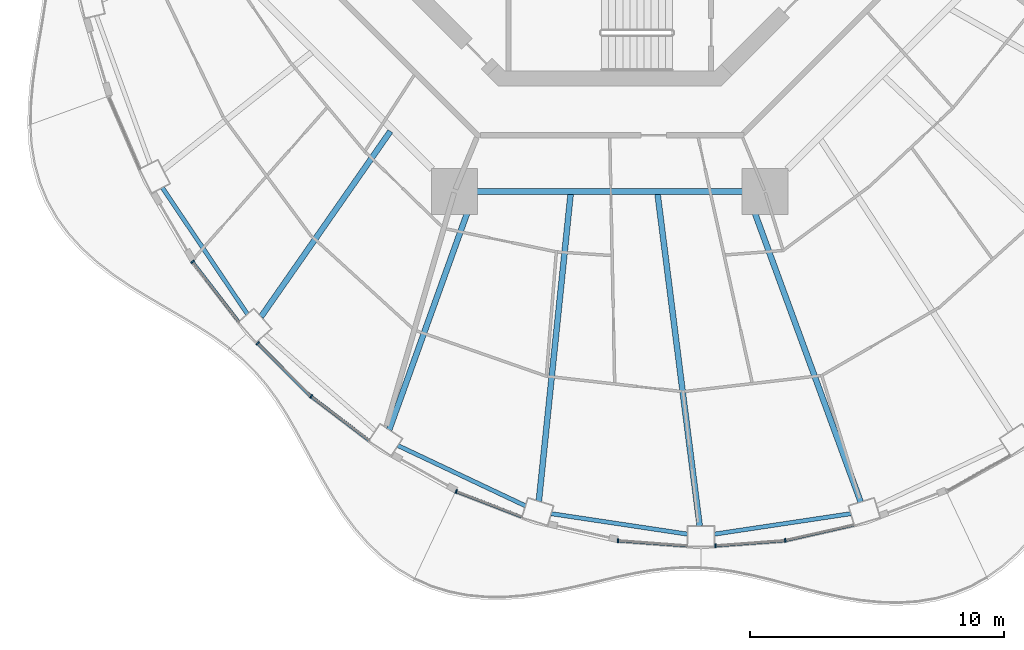
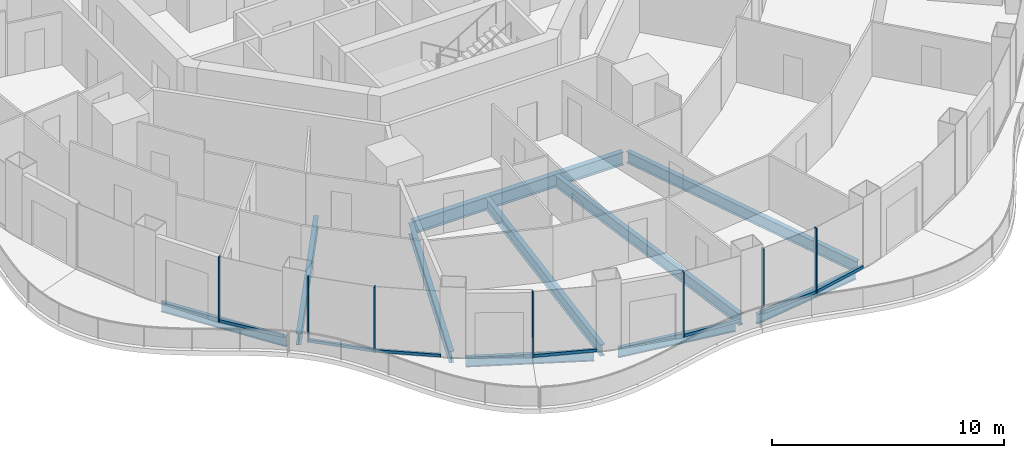
# One storey, part 2 of 19: 14 members, 10 beams, 7 elements without a shape of their own.
"""IFC4 building model written with IfcOpenShell, lengths in metres."""

from ifc_helpers import new_model, si_unit, direction, frame, origin, origin_2d, place, context, subcontext, project, spatial, rectangle, i_section, extrude, material, layer, layer_set, material_profile, profile_set, type_object, element, aggregate, save


model = new_model("IFC4")

# Units and contexts
model_context = context("Model", 3, precision=1e-05, world=origin(), true_north=direction((0.0, 1.0)))
body_context = subcontext(model_context, "Body", "Model", "MODEL_VIEW")
ifc_project = project(units=[si_unit("LENGTHUNIT", "METRE"), si_unit("AREAUNIT", "SQUARE_METRE"), si_unit("VOLUMEUNIT", "CUBIC_METRE"), si_unit("PLANEANGLEUNIT", "RADIAN"), si_unit("MASSUNIT", "GRAM", prefix="KILO")], contexts=[model_context])

# Site, building, storey
site_placement = place(None, origin())
site = spatial("IfcSite", under=ifc_project, at=site_placement, CompositionType="ELEMENT")
building_placement = place(site_placement, origin())
building = spatial("IfcBuilding", under=site, at=building_placement, Name="Nagisa Residences", CompositionType="ELEMENT")
storey_placement = place(building_placement, frame((0.0, 0.0, 188.10009765625)))
storey = spatial("IfcBuildingStorey", under=building, at=storey_placement, Name="L47", CompositionType="ELEMENT", Elevation=188.10009765625)

# Curtain wall, member
ifc_material_1 = material(Name="Concrete-coloured aluminium curtain wall system", Category="concrete")
ifc_layer = layer(ifc_material_1, 0.159912109375)
ifc_layer_set = layer_set([ifc_layer], Name="CW1 CURTAIN WALL")
curtain_wall_type = type_object("IfcCurtainWallType", Name="CW1 CURTAIN WALL", PredefinedType="NOTDEFINED", material=ifc_layer_set)
curtain_wall_1_placement = place(storey_placement, origin())
curtain_wall_1 = element("IfcCurtainWall", 1, at=curtain_wall_1_placement, inside=storey, type_object=curtain_wall_type, Name="cw:CW1:L47:29", PredefinedType="NOTDEFINED")
ifc_material_2 = material(Name="Concrete-coloured aluminium", Category="concrete")
ifc_material_profile_1 = material_profile(ifc_material_2, rectangle(XDim=0.159912109375, YDim=0.06005859375, at=origin_2d()), Name="CW1 MULLION 160x60")
ifc_profile_set_1 = profile_set([ifc_material_profile_1], Name="Concrete-coloured aluminium")
member_type_1 = type_object("IfcMemberType", Name="CW1 MULLION 160x60", PredefinedType="MULLION", material=ifc_profile_set_1)
member_1_placement = place(storey_placement, frame((-16.44970703125, -17.552978515625, 0.0), z_axis=(0.0, 0.0, 1.0), x_axis=(0.792070340816, 0.610429828235, 0.0)))
member_1 = element("IfcMember", 2, at=member_1_placement, type_object=member_type_1, Name="CW1 mullion", PredefinedType="MULLION", context=body_context, shape_type="SweptSolid", body=[
    extrude(rectangle(XDim=0.159912109375, YDim=0.06005859375, at=origin_2d()), origin(), (0.0, 0.0, 1.0), 3.43994140625),
])

curtain_wall_2_placement = place(storey_placement, origin())
curtain_wall_2 = element("IfcCurtainWall", 3, at=curtain_wall_2_placement, inside=storey, type_object=curtain_wall_type, Name="cw:CW1:L47:30", PredefinedType="NOTDEFINED")
member_2_placement = place(storey_placement, frame((-13.875732421875, -20.770751953125, 0.0), z_axis=(0.0, 0.0, 1.0), x_axis=(0.706376885714, 0.707835924016, 0.0)))
member_2 = element("IfcMember", 4, at=member_2_placement, type_object=member_type_1, Name="CW1 mullion", PredefinedType="MULLION", context=body_context, shape_type="SweptSolid", body=[
    extrude(rectangle(XDim=0.159912109375, YDim=0.06005859375, at=origin_2d()), origin(), (0.0, 0.0, 1.0), 3.43994140625),
])

curtain_wall_3_placement = place(storey_placement, origin())
curtain_wall_3 = element("IfcCurtainWall", 5, at=curtain_wall_3_placement, inside=storey, type_object=curtain_wall_type, Name="cw:CW1:L47:31", PredefinedType="NOTDEFINED")
member_3_placement = place(storey_placement, frame((-11.77490234375, -22.862548828125, 0.0), z_axis=(0.0, 0.0, 1.0), x_axis=(0.605255421737, 0.79603132756, 0.0)))
member_3 = element("IfcMember", 6, at=member_3_placement, type_object=member_type_1, Name="CW1 mullion", PredefinedType="MULLION", context=body_context, shape_type="SweptSolid", body=[
    extrude(rectangle(XDim=0.159912109375, YDim=0.06005859375, at=origin_2d()), origin(), (0.0, 0.0, 1.0), 3.43994140625),
])

curtain_wall_4_placement = place(storey_placement, origin())
curtain_wall_4 = element("IfcCurtainWall", 7, at=curtain_wall_4_placement, inside=storey, type_object=curtain_wall_type, Name="cw:CW1:L47:33", PredefinedType="NOTDEFINED")
member_4_placement = place(storey_placement, frame((-6.0537109375, -26.61328125, 0.0), z_axis=(0.0, 0.0, 1.0), x_axis=(0.360327770268, 0.932825759707, 0.0)))
member_4 = element("IfcMember", 8, at=member_4_placement, type_object=member_type_1, Name="CW1 mullion", PredefinedType="MULLION", context=body_context, shape_type="SweptSolid", body=[
    extrude(rectangle(XDim=0.159912109375, YDim=0.06005859375, at=origin_2d()), origin(), (0.0, 0.0, 1.0), 3.43994140625),
])

curtain_wall_5_placement = place(storey_placement, origin())
curtain_wall_5 = element("IfcCurtainWall", 9, at=curtain_wall_5_placement, inside=storey, type_object=curtain_wall_type, Name="cw:CW1:L47:35", PredefinedType="NOTDEFINED")
member_5_placement = place(storey_placement, frame((0.32373046875, -28.550537109375, 0.0), z_axis=(0.0, 0.0, 1.0), x_axis=(0.074377355493, 0.997230168512, 0.0)))
member_5 = element("IfcMember", 10, at=member_5_placement, type_object=member_type_1, Name="CW1 mullion", PredefinedType="MULLION", context=body_context, shape_type="SweptSolid", body=[
    extrude(rectangle(XDim=0.159912109375, YDim=0.06005859375, at=origin_2d()), origin(), (0.0, 0.0, 1.0), 3.43994140625),
])

curtain_wall_6_placement = place(storey_placement, origin())
curtain_wall_6 = element("IfcCurtainWall", 11, at=curtain_wall_6_placement, inside=storey, type_object=curtain_wall_type, Name="cw:CW1:L47:36", PredefinedType="NOTDEFINED")
member_6_placement = place(storey_placement, frame((4.17236328125, -28.752197265625, 0.0), z_axis=(0.0, 0.0, 1.0), x_axis=(-0.074377355493, 0.997230168512, 0.0)))
member_6 = element("IfcMember", 12, at=member_6_placement, type_object=member_type_1, Name="CW1 mullion", PredefinedType="MULLION", context=body_context, shape_type="SweptSolid", body=[
    extrude(rectangle(XDim=0.159912109375, YDim=0.06005859375, at=origin_2d()), origin(), (0.0, 0.0, 1.0), 3.43994140625),
])

curtain_wall_7_placement = place(storey_placement, origin())
curtain_wall_7 = element("IfcCurtainWall", 13, at=curtain_wall_7_placement, inside=storey, type_object=curtain_wall_type, Name="cw:CW1:L47:37", PredefinedType="NOTDEFINED")
member_7_placement = place(storey_placement, frame((6.923583984375, -28.543212890625, 0.0), z_axis=(0.0, 0.0, 1.0), x_axis=(-0.2207639201, 0.975327274089, 0.0)))
member_7 = element("IfcMember", 14, at=member_7_placement, type_object=member_type_1, Name="CW1 mullion", PredefinedType="MULLION", context=body_context, shape_type="SweptSolid", body=[
    extrude(rectangle(XDim=0.159912109375, YDim=0.06005859375, at=origin_2d()), origin(), (0.0, 0.0, 1.0), 3.43994140625),
])

# Member
ifc_material_3 = material(Name="Concrete-coloured aluminium", Category="concrete")
ifc_material_profile_2 = material_profile(ifc_material_3, rectangle(XDim=0.1201171875, YDim=0.14990234375, at=origin_2d()), Name="CW1 TRANSOM 120x150")
ifc_profile_set_2 = profile_set([ifc_material_profile_2], Name="Concrete-coloured aluminium")
member_type_2 = type_object("IfcMemberType", Name="CW1 TRANSOM 120x150", PredefinedType="USERDEFINED", material=ifc_profile_set_2)
member_8_placement = place(storey_placement, frame((-16.468017578125, -17.529052734375, 0.074951171875), z_axis=(0.610398538814, -0.792094453846, 0.0), x_axis=(0.792094453846, 0.610398538814, 0.0)))
member_8 = element("IfcMember", 15, at=member_8_placement, type_object=member_type_2, Name="CW1 transom", ObjectType="TRANSOM", PredefinedType="USERDEFINED", context=body_context, shape_type="SweptSolid", body=[
    extrude(rectangle(XDim=0.1201171875, YDim=0.14990234375, at=origin_2d()), origin(), (0.0, 0.0, 1.0), 3.035400390625),
])

aggregate(curtain_wall_1, [member_1, member_8])

member_9_placement = place(storey_placement, frame((-13.89697265625, -20.74951171875, 0.074951171875), z_axis=(0.707803821372, -0.706409053206, 0.0), x_axis=(0.706409053206, 0.707803821372, 0.0)))
member_9 = element("IfcMember", 16, at=member_9_placement, type_object=member_type_2, Name="CW1 transom", ObjectType="TRANSOM", PredefinedType="USERDEFINED", context=body_context, shape_type="SweptSolid", body=[
    extrude(rectangle(XDim=0.1201171875, YDim=0.14990234375, at=origin_2d()), origin(), (0.0, 0.0, 1.0), 2.9755859375),
])

aggregate(curtain_wall_2, [member_2, member_9])

member_10_placement = place(storey_placement, frame((-11.798828125, -22.844482421875, 0.074951171875), z_axis=(0.796055733703, -0.60522332146, 0.0), x_axis=(0.60522332146, 0.796055733703, 0.0)))
member_10 = element("IfcMember", 17, at=member_10_placement, type_object=member_type_2, Name="CW1 transom", ObjectType="TRANSOM", PredefinedType="USERDEFINED", context=body_context, shape_type="SweptSolid", body=[
    extrude(rectangle(XDim=0.1201171875, YDim=0.14990234375, at=origin_2d()), origin(), (0.0, 0.0, 1.0), 2.9169921875),
])

aggregate(curtain_wall_3, [member_3, member_10])

member_11_placement = place(storey_placement, frame((-6.081787109375, -26.602294921875, 0.074951171875), z_axis=(0.932806734513, -0.360377019311, 0.0), x_axis=(0.360377019311, 0.932806734513, 0.0)))
member_11 = element("IfcMember", 18, at=member_11_placement, type_object=member_type_2, Name="CW1 transom", ObjectType="TRANSOM", PredefinedType="USERDEFINED", context=body_context, shape_type="SweptSolid", body=[
    extrude(rectangle(XDim=0.1201171875, YDim=0.14990234375, at=origin_2d()), origin(), (0.0, 0.0, 1.0), 2.819580078125),
])

aggregate(curtain_wall_4, [member_4, member_11])

member_12_placement = place(storey_placement, frame((0.2939453125, -28.548095703125, 0.074951171875), z_axis=(0.99722504052, -0.074446078208, 0.0), x_axis=(0.074446078208, 0.99722504052, 0.0)))
member_12 = element("IfcMember", 19, at=member_12_placement, type_object=member_type_2, Name="CW1 transom", ObjectType="TRANSOM", PredefinedType="USERDEFINED", context=body_context, shape_type="SweptSolid", body=[
    extrude(rectangle(XDim=0.1201171875, YDim=0.14990234375, at=origin_2d()), origin(), (0.0, 0.0, 1.0), 2.77099609375),
])

aggregate(curtain_wall_5, [member_5, member_12])

member_13_placement = place(storey_placement, frame((4.142578125, -28.75439453125, 0.074951171875), z_axis=(0.997225528735, 0.074439538143, 0.0), x_axis=(-0.074439538143, 0.997225528735, 0.0)))
member_13 = element("IfcMember", 20, at=member_13_placement, type_object=member_type_2, Name="CW1 transom", ObjectType="TRANSOM", PredefinedType="USERDEFINED", context=body_context, shape_type="SweptSolid", body=[
    extrude(rectangle(XDim=0.1201171875, YDim=0.14990234375, at=origin_2d()), origin(), (0.0, 0.0, 1.0), 2.771240234375),
])

aggregate(curtain_wall_6, [member_6, member_13])

member_14_placement = place(storey_placement, frame((6.89453125, -28.550048828125, 0.074951171875), z_axis=(0.975324329911, 0.220776926974, 0.0), x_axis=(-0.220776926974, 0.975324329911, 0.0)))
member_14 = element("IfcMember", 21, at=member_14_placement, type_object=member_type_2, Name="CW1 transom", ObjectType="TRANSOM", PredefinedType="USERDEFINED", context=body_context, shape_type="SweptSolid", body=[
    extrude(rectangle(XDim=0.1201171875, YDim=0.14990234375, at=origin_2d()), origin(), (0.0, 0.0, 1.0), 2.787841796875),
])

aggregate(curtain_wall_7, [member_7, member_14])

# Beams
ifc_material_4 = material(Name="Steel ASTM A572 Gr 50", Category="steel")
ifc_material_profile_3 = material_profile(ifc_material_4, i_section(OverallWidth=0.25390625, OverallDepth=0.68408203125, WebThickness=0.012451171875, FlangeThickness=0.018798828125, at=origin_2d()), Name="W690x140")
ifc_profile_set_3 = profile_set([ifc_material_profile_3], Name="Steel ASTM A572 Gr 50")
beam_type_1 = type_object("IfcBeamType", Name="Inner ring beam W690x140", PredefinedType="BEAM", material=ifc_profile_set_3)
beam_1_placement = place(storey_placement, frame((-5.242919921875, -14.781982421875, -0.60205078125), z_axis=(1.0, 0.0, 0.0), x_axis=(0.0, 1.0, 0.0)))
element("IfcBeam", 22, at=beam_1_placement, inside=storey, type_object=beam_type_1, Name="beam:L47:ib6", PredefinedType="BEAM", context=body_context, shape_type="SweptSolid", body=[
    extrude(i_section(OverallWidth=0.25390625, OverallDepth=0.68408203125, WebThickness=0.012451171875, FlangeThickness=0.018798828125, at=origin_2d()), origin(), (0.0, 0.0, 1.0), 10.48583984375),
])
ifc_material_5 = material(Name="Steel ASTM A572 Gr 50", Category="steel")
ifc_material_profile_4 = material_profile(ifc_material_5, i_section(OverallWidth=0.166015625, OverallDepth=0.534912109375, WebThickness=0.01025390625, FlangeThickness=0.0166015625, at=origin_2d()), Name="W530x85")
ifc_profile_set_4 = profile_set([ifc_material_profile_4], Name="Steel ASTM A572 Gr 50")
beam_type_2 = type_object("IfcBeamType", Name="Perimeter ring beam W530x85", PredefinedType="BEAM", material=ifc_profile_set_4)
beam_2_placement = place(storey_placement, frame((-17.644287109375, -14.630615234375, -0.527587890625), z_axis=(0.558152301307, -0.829738518177, 0.0), x_axis=(0.829738518177, 0.558152301307, 0.0)))
element("IfcBeam", 23, at=beam_2_placement, inside=storey, type_object=beam_type_2, Name="beam:L47:pb15", PredefinedType="BEAM", context=body_context, shape_type="SweptSolid", body=[
    extrude(i_section(OverallWidth=0.166015625, OverallDepth=0.534912109375, WebThickness=0.01025390625, FlangeThickness=0.0166015625, at=origin_2d()), origin(), (0.0, 0.0, 1.0), 6.013916015625),
])
beam_3_placement = place(storey_placement, frame((-8.353515625, -24.80224609375, -0.527587890625), z_axis=(0.904157325884, -0.427199637232, 0.0), x_axis=(0.427199637232, 0.904157325884, 0.0)))
element("IfcBeam", 24, at=beam_3_placement, inside=storey, type_object=beam_type_2, Name="beam:L47:pb17", PredefinedType="BEAM", context=body_context, shape_type="SweptSolid", body=[
    extrude(i_section(OverallWidth=0.166015625, OverallDepth=0.534912109375, WebThickness=0.01025390625, FlangeThickness=0.0166015625, at=origin_2d()), origin(), (0.0, 0.0, 1.0), 5.56396484375),
])
for number, where, z_axis, x_axis, name in (
    (25, (-2.30810546875, -27.48779296875, -0.527587890625), (0.988911312658, -0.148507291732, 0.0), (0.148507291732, 0.988911312658, 0.0), "beam:L47:pb18"),
    (26, (4.130126953125, -28.29541015625, -0.527587890625), (0.988911312658, 0.148507291732, 0.0), (-0.148507291732, 0.988911312658, 0.0), "beam:L47:pb19"),
):
    element("IfcBeam", number, at=place(storey_placement, frame(where, z_axis=z_axis, x_axis=x_axis)), inside=storey, type_object=beam_type_2, Name=name, PredefinedType="BEAM", context=body_context, shape_type="SweptSolid", body=[
        extrude(i_section(OverallWidth=0.166015625, OverallDepth=0.534912109375, WebThickness=0.01025390625, FlangeThickness=0.0166015625, at=origin_2d()), origin(), (0.0, 0.0, 1.0), 5.438232421875),
    ])
ifc_material_6 = material(Name="Steel ASTM A572 Gr 50", Category="steel")
ifc_material_profile_5 = material_profile(ifc_material_6, i_section(OverallWidth=0.22802734375, OverallDepth=0.60302734375, WebThickness=0.010498046875, FlangeThickness=0.014892578125, at=origin_2d()), Name="W610x101")
ifc_profile_set_5 = profile_set([ifc_material_profile_5], Name="Steel ASTM A572 Gr 50")
beam_type_3 = type_object("IfcBeamType", Name="Radial beam W610x101", PredefinedType="BEAM", material=ifc_profile_set_5)
beam_4_placement = place(storey_placement, frame((-13.75048828125, -19.7216796875, -0.5615234375), z_axis=(0.571934479253, 0.82029930601, 0.0), x_axis=(-0.82029930601, 0.571934479253, 0.0)))
element("IfcBeam", 27, at=beam_4_placement, inside=storey, type_object=beam_type_3, Name="beam:L47:rb16", PredefinedType="BEAM", context=body_context, shape_type="SweptSolid", body=[
    extrude(i_section(OverallWidth=0.22802734375, OverallDepth=0.60302734375, WebThickness=0.010498046875, FlangeThickness=0.014892578125, at=origin_2d()), origin(), (0.0, 0.0, 1.0), 8.917724609375),
])
beam_5_placement = place(storey_placement, frame((-8.6962890625, -24.180908203125, -0.5615234375), z_axis=(0.338417364879, 0.940996114311, 0.0), x_axis=(-0.940996114311, 0.338417364879, 0.0)))
element("IfcBeam", 28, at=beam_5_placement, inside=storey, type_object=beam_type_3, Name="beam:L47:rb17", PredefinedType="BEAM", context=body_context, shape_type="SweptSolid", body=[
    extrude(i_section(OverallWidth=0.22802734375, OverallDepth=0.60302734375, WebThickness=0.010498046875, FlangeThickness=0.014892578125, at=origin_2d()), origin(), (0.0, 0.0, 1.0), 9.873291015625),
])
beam_6_placement = place(storey_placement, frame((-2.795654296875, -26.997314453125, -0.5615234375), z_axis=(0.103007948723, 0.994680532885, 0.0), x_axis=(-0.994680532885, 0.103007948723, 0.0)))
element("IfcBeam", 29, at=beam_6_placement, inside=storey, type_object=beam_type_3, Name="beam:L47:rb18", PredefinedType="BEAM", context=body_context, shape_type="SweptSolid", body=[
    extrude(i_section(OverallWidth=0.22802734375, OverallDepth=0.60302734375, WebThickness=0.010498046875, FlangeThickness=0.014892578125, at=origin_2d()), origin(), (0.0, 0.0, 1.0), 12.1728515625),
])
beam_7_placement = place(storey_placement, frame((3.548583984375, -27.9697265625, -0.5615234375), z_axis=(-0.125871302495, 0.992046579153, 0.0), x_axis=(-0.992046579153, -0.125871302495, 0.0)))
element("IfcBeam", 30, at=beam_7_placement, inside=storey, type_object=beam_type_3, Name="beam:L47:rb19", PredefinedType="BEAM", context=body_context, shape_type="SweptSolid", body=[
    extrude(i_section(OverallWidth=0.22802734375, OverallDepth=0.60302734375, WebThickness=0.010498046875, FlangeThickness=0.014892578125, at=origin_2d()), origin(), (0.0, 0.0, 1.0), 13.185546875),
])
beam_8_placement = place(storey_placement, frame((9.898681640625, -27.02734375, -0.5615234375), z_axis=(-0.343903309659, 0.939005065804, 0.0), x_axis=(-0.939005065804, -0.343903309659, 0.0)))
element("IfcBeam", 31, at=beam_8_placement, inside=storey, type_object=beam_type_3, Name="beam:L47:rb20", PredefinedType="BEAM", context=body_context, shape_type="SweptSolid", body=[
    extrude(i_section(OverallWidth=0.22802734375, OverallDepth=0.60302734375, WebThickness=0.010498046875, FlangeThickness=0.014892578125, at=origin_2d()), origin(), (0.0, 0.0, 1.0), 12.92529296875),
])

save(model, "model.ifc")
